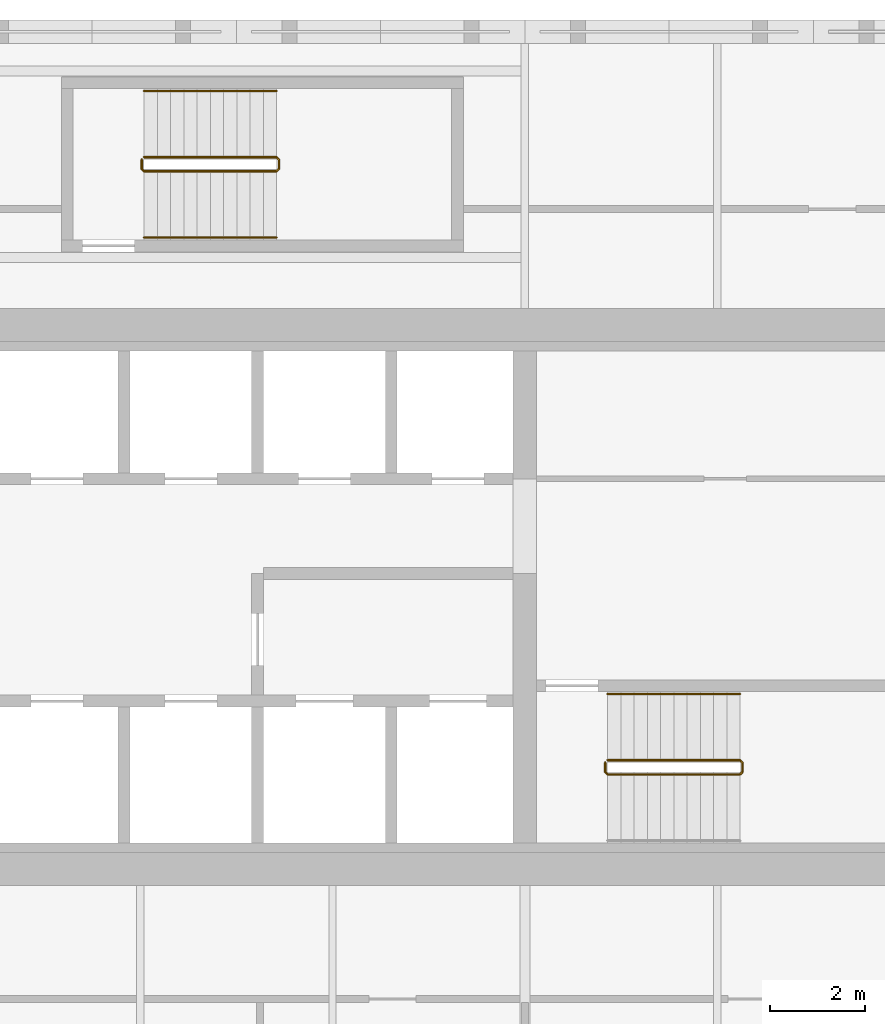
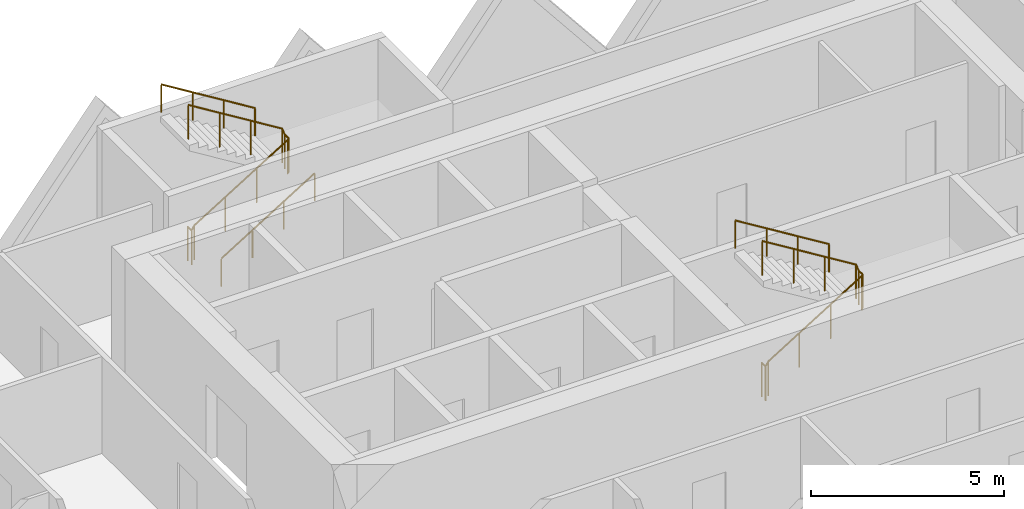
# One storey, part 19 of 19: 5 railings.
"""IFC4 building model written with IfcOpenShell, lengths in metres."""

from ifc_helpers import new_model, si_unit, direction, frame, origin, origin_2d, place, context, subcontext, project, spatial, circle, extrude, material, type_object, element, save


model = new_model("IFC4")

# Units and contexts
model_context = context("Model", 3, precision=1e-05, world=origin(), true_north=direction((0.0, 1.0)))
body_context = subcontext(model_context, "Body", "Model", "MODEL_VIEW")
ifc_project = project(units=[si_unit("LENGTHUNIT", "METRE"), si_unit("AREAUNIT", "SQUARE_METRE"), si_unit("VOLUMEUNIT", "CUBIC_METRE"), si_unit("PLANEANGLEUNIT", "RADIAN"), si_unit("MASSUNIT", "GRAM", prefix="KILO")], contexts=[model_context])

# Site, building, storey
site_placement = place(None, origin())
site = spatial("IfcSite", under=ifc_project, at=site_placement, CompositionType="ELEMENT")
building_placement = place(site_placement, origin())
building = spatial("IfcBuilding", under=site, at=building_placement, Name="Tessera Gate Towers", CompositionType="ELEMENT")
storey_placement = place(building_placement, frame((0.0, 0.0, 29.60009765625)))
storey = spatial("IfcBuildingStorey", under=building, at=storey_placement, Name="L06", CompositionType="ELEMENT", Elevation=29.60009765625)

# Railings
ifc_material_1 = material(Name="Steel 350W", Category="steel")
railing_type_1 = type_object("IfcRailingType", Name="STAIR GUARD 1100", PredefinedType="GUARDRAIL", material=ifc_material_1)
railing_1_placement = place(storey_placement, frame((111.5, 39.199951171875, 0.0)))
element("IfcRailing", 1, at=railing_1_placement, inside=storey, type_object=railing_type_1, Name="L06 ST6 stair guard 1", PredefinedType="GUARDRAIL", context=body_context, shape_type="SweptSolid", body=[
    extrude(circle(Radius=0.02392578125, at=origin_2d()), frame((0.0, 0.0, 1.076171875), z_axis=(0.0, -1.0, 0.0), x_axis=(1.0, 0.0, 0.0)), (0.0, 0.0, 1.0), 0.199951171875),
    extrude(circle(Radius=0.02392578125, at=origin_2d()), frame((0.0, -0.199951171875, 1.076171875), z_axis=(0.268277960024, -0.268277960024, 0.925231793839), x_axis=(0.707106781187, 0.707106781187, 0.0)), (0.0, 0.0, 1.0), 0.1865234375),
    extrude(circle(Radius=0.02392578125, at=origin_2d()), frame((0.050048828125, -0.25, 1.24853515625), z_axis=(0.851089632645, 0.0, 0.525020415988), x_axis=(0.0, 1.0, 0.0)), (0.0, 0.0, 1.0), 3.2900390625),
    extrude(circle(Radius=0.02392578125, at=origin_2d()), frame((2.85009765625, -0.25, 2.97607421875), z_axis=(0.705375805398, 0.708833529934, 0.0), x_axis=(-0.708833529934, 0.705375805398, 0.0)), (0.0, 0.0, 1.0), 0.070556640625),
    extrude(circle(Radius=0.02392578125, at=origin_2d()), frame((2.89990234375, -0.199951171875, 2.97607421875), z_axis=(0.0, 1.0, 0.0), x_axis=(-1.0, 0.0, 0.0)), (0.0, 0.0, 1.0), 0.199951171875),
    extrude(circle(Radius=0.02392578125, at=origin_2d()), frame((2.89990234375, 0.0, 2.97607421875), z_axis=(-0.267062837333, 0.268371968888, 0.925556009775), x_axis=(-0.708833529934, -0.705375805398, 0.0)), (0.0, 0.0, 1.0), 0.1865234375),
    extrude(circle(Radius=0.02392578125, at=origin_2d()), frame((2.85009765625, 0.050048828125, 3.1484375), z_axis=(-0.851089632645, 0.0, 0.525020415988), x_axis=(0.0, -1.0, 0.0)), (0.0, 0.0, 1.0), 3.2900390625),
    extrude(circle(Radius=0.02099609375, at=origin_2d()), origin(), (0.0, 0.0, 1.0), 1.052001953125),
    extrude(circle(Radius=0.02099609375, at=origin_2d()), frame((0.0, -0.199951171875, 0.0)), (0.0, 0.0, 1.0), 1.052001953125),
    extrude(circle(Radius=0.02099609375, at=origin_2d()), frame((0.050048828125, -0.25, 0.172607421875)), (0.0, 0.0, 1.0), 1.052001953125),
    extrude(circle(Radius=0.02099609375, at=origin_2d()), frame((0.9833984375, -0.25, 0.748291015625)), (0.0, 0.0, 1.0), 1.052001953125),
    extrude(circle(Radius=0.02099609375, at=origin_2d()), frame((1.916748046875, -0.25, 1.32421875)), (0.0, 0.0, 1.0), 1.052001953125),
    extrude(circle(Radius=0.02099609375, at=origin_2d()), frame((2.85009765625, -0.25, 1.89990234375)), (0.0, 0.0, 1.0), 1.052001953125),
    extrude(circle(Radius=0.02099609375, at=origin_2d()), frame((2.89990234375, -0.199951171875, 1.89990234375)), (0.0, 0.0, 1.0), 1.052001953125),
    extrude(circle(Radius=0.02099609375, at=origin_2d()), frame((2.89990234375, 0.0, 1.89990234375)), (0.0, 0.0, 1.0), 1.052001953125),
    extrude(circle(Radius=0.02099609375, at=origin_2d()), frame((2.85009765625, 0.050048828125, 2.072509765625)), (0.0, 0.0, 1.0), 1.052001953125),
    extrude(circle(Radius=0.02099609375, at=origin_2d()), frame((1.916748046875, 0.050048828125, 2.648193359375)), (0.0, 0.0, 1.0), 1.052001953125),
    extrude(circle(Radius=0.02099609375, at=origin_2d()), frame((0.9833984375, 0.050048828125, 3.22412109375)), (0.0, 0.0, 1.0), 1.052001953125),
    extrude(circle(Radius=0.02099609375, at=origin_2d()), frame((0.050048828125, 0.050048828125, 3.7998046875)), (0.0, 0.0, 1.0), 1.052001953125),
])
railing_2_placement = place(storey_placement, frame((101.699951171875, 51.949951171875, 0.0)))
element("IfcRailing", 2, at=railing_2_placement, inside=storey, type_object=railing_type_1, Name="L06 ST7 stair guard 1", PredefinedType="GUARDRAIL", context=body_context, shape_type="SweptSolid", body=[
    extrude(circle(Radius=0.02392578125, at=origin_2d()), frame((0.0, 0.0, 1.076171875), z_axis=(0.0, -1.0, 0.0), x_axis=(1.0, 0.0, 0.0)), (0.0, 0.0, 1.0), 0.199951171875),
    extrude(circle(Radius=0.02392578125, at=origin_2d()), frame((0.0, -0.199951171875, 1.076171875), z_axis=(0.268277960024, -0.268277960024, 0.925231793839), x_axis=(0.707106781187, 0.707106781187, 0.0)), (0.0, 0.0, 1.0), 0.1865234375),
    extrude(circle(Radius=0.02392578125, at=origin_2d()), frame((0.050048828125, -0.25, 1.24853515625), z_axis=(0.851089632645, 0.0, 0.525020415988), x_axis=(0.0, 1.0, 0.0)), (0.0, 0.0, 1.0), 3.2900390625),
    extrude(circle(Radius=0.02392578125, at=origin_2d()), frame((2.85009765625, -0.25, 2.97607421875), z_axis=(0.707106781187, 0.707106781187, 0.0), x_axis=(-0.707106781187, 0.707106781187, 0.0)), (0.0, 0.0, 1.0), 0.07080078125),
    extrude(circle(Radius=0.02392578125, at=origin_2d()), frame((2.900146484375, -0.199951171875, 2.97607421875), z_axis=(0.0, 1.0, 0.0), x_axis=(-1.0, 0.0, 0.0)), (0.0, 0.0, 1.0), 0.199951171875),
    extrude(circle(Radius=0.02392578125, at=origin_2d()), frame((2.900146484375, 0.0, 2.97607421875), z_axis=(-0.268277960024, 0.268277960024, 0.925231793839), x_axis=(-0.707106781187, -0.707106781187, 0.0)), (0.0, 0.0, 1.0), 0.1865234375),
    extrude(circle(Radius=0.02392578125, at=origin_2d()), frame((2.85009765625, 0.050048828125, 3.1484375), z_axis=(-0.851089632645, 0.0, 0.525020415988), x_axis=(0.0, -1.0, 0.0)), (0.0, 0.0, 1.0), 3.2900390625),
    extrude(circle(Radius=0.02099609375, at=origin_2d()), origin(), (0.0, 0.0, 1.0), 1.052001953125),
    extrude(circle(Radius=0.02099609375, at=origin_2d()), frame((0.0, -0.199951171875, 0.0)), (0.0, 0.0, 1.0), 1.052001953125),
    extrude(circle(Radius=0.02099609375, at=origin_2d()), frame((0.050048828125, -0.25, 0.172607421875)), (0.0, 0.0, 1.0), 1.052001953125),
    extrude(circle(Radius=0.02099609375, at=origin_2d()), frame((0.9833984375, -0.25, 0.748291015625)), (0.0, 0.0, 1.0), 1.052001953125),
    extrude(circle(Radius=0.02099609375, at=origin_2d()), frame((1.916748046875, -0.25, 1.32421875)), (0.0, 0.0, 1.0), 1.052001953125),
    extrude(circle(Radius=0.02099609375, at=origin_2d()), frame((2.85009765625, -0.25, 1.89990234375)), (0.0, 0.0, 1.0), 1.052001953125),
    extrude(circle(Radius=0.02099609375, at=origin_2d()), frame((2.900146484375, -0.199951171875, 1.89990234375)), (0.0, 0.0, 1.0), 1.052001953125),
    extrude(circle(Radius=0.02099609375, at=origin_2d()), frame((2.900146484375, 0.0, 1.89990234375)), (0.0, 0.0, 1.0), 1.052001953125),
    extrude(circle(Radius=0.02099609375, at=origin_2d()), frame((2.85009765625, 0.050048828125, 2.072509765625)), (0.0, 0.0, 1.0), 1.052001953125),
    extrude(circle(Radius=0.02099609375, at=origin_2d()), frame((1.916748046875, 0.050048828125, 2.648193359375)), (0.0, 0.0, 1.0), 1.052001953125),
    extrude(circle(Radius=0.02099609375, at=origin_2d()), frame((0.9833984375, 0.050048828125, 3.22412109375)), (0.0, 0.0, 1.0), 1.052001953125),
    extrude(circle(Radius=0.02099609375, at=origin_2d()), frame((0.050048828125, 0.050048828125, 3.7998046875)), (0.0, 0.0, 1.0), 1.052001953125),
])
ifc_material_2 = material(Name="Steel 350W", Category="steel")
railing_type_2 = type_object("IfcRailingType", Name="STAIR HANDRAIL 900", PredefinedType="HANDRAIL", material=ifc_material_2)
railing_3_placement = place(storey_placement, frame((114.35009765625, 40.64990234375, 2.072509765625)))
element("IfcRailing", 3, at=railing_3_placement, inside=storey, type_object=railing_type_2, Name="L06 ST6 stair handrail 2", PredefinedType="HANDRAIL", context=body_context, shape_type="SweptSolid", body=[
    extrude(circle(Radius=0.02392578125, at=origin_2d()), frame((0.0, 0.0, 0.8759765625), z_axis=(-0.851089632645, 0.0, 0.525020415988), x_axis=(0.0, -1.0, 0.0)), (0.0, 0.0, 1.0), 3.2900390625),
    extrude(circle(Radius=0.02099609375, at=origin_2d()), origin(), (0.0, 0.0, 1.0), 0.851806640625),
    extrude(circle(Radius=0.02099609375, at=origin_2d()), frame((-0.933349609375, 0.0, 0.57568359375)), (0.0, 0.0, 1.0), 0.851806640625),
    extrude(circle(Radius=0.02099609375, at=origin_2d()), frame((-1.86669921875, 0.0, 1.151611328125)), (0.0, 0.0, 1.0), 0.851806640625),
    extrude(circle(Radius=0.02099609375, at=origin_2d()), frame((-2.800048828125, 0.0, 1.727294921875)), (0.0, 0.0, 1.0), 0.851806640625),
])
railing_4_placement = place(storey_placement, frame((101.75, 50.300048828125, 0.172607421875)))
element("IfcRailing", 4, at=railing_4_placement, inside=storey, type_object=railing_type_2, Name="L06 ST7 stair handrail 1", PredefinedType="HANDRAIL", context=body_context, shape_type="SweptSolid", body=[
    extrude(circle(Radius=0.02392578125, at=origin_2d()), frame((0.0, 0.0, 0.8759765625), z_axis=(0.851089632645, 0.0, 0.525020415988), x_axis=(0.0, 1.0, 0.0)), (0.0, 0.0, 1.0), 3.2900390625),
    extrude(circle(Radius=0.02099609375, at=origin_2d()), origin(), (0.0, 0.0, 1.0), 0.851806640625),
    extrude(circle(Radius=0.02099609375, at=origin_2d()), frame((0.933349609375, 0.0, 0.57568359375)), (0.0, 0.0, 1.0), 0.851806640625),
    extrude(circle(Radius=0.02099609375, at=origin_2d()), frame((1.86669921875, 0.0, 1.151611328125)), (0.0, 0.0, 1.0), 0.851806640625),
    extrude(circle(Radius=0.02099609375, at=origin_2d()), frame((2.800048828125, 0.0, 1.727294921875)), (0.0, 0.0, 1.0), 0.851806640625),
])
railing_5_placement = place(storey_placement, frame((104.550048828125, 53.39990234375, 2.072509765625)))
element("IfcRailing", 5, at=railing_5_placement, inside=storey, type_object=railing_type_2, Name="L06 ST7 stair handrail 2", PredefinedType="HANDRAIL", context=body_context, shape_type="SweptSolid", body=[
    extrude(circle(Radius=0.02392578125, at=origin_2d()), frame((0.0, 0.0, 0.8759765625), z_axis=(-0.851089632645, 0.0, 0.525020415988), x_axis=(0.0, -1.0, 0.0)), (0.0, 0.0, 1.0), 3.2900390625),
    extrude(circle(Radius=0.02099609375, at=origin_2d()), origin(), (0.0, 0.0, 1.0), 0.851806640625),
    extrude(circle(Radius=0.02099609375, at=origin_2d()), frame((-0.933349609375, 0.0, 0.57568359375)), (0.0, 0.0, 1.0), 0.851806640625),
    extrude(circle(Radius=0.02099609375, at=origin_2d()), frame((-1.86669921875, 0.0, 1.151611328125)), (0.0, 0.0, 1.0), 0.851806640625),
    extrude(circle(Radius=0.02099609375, at=origin_2d()), frame((-2.800048828125, 0.0, 1.727294921875)), (0.0, 0.0, 1.0), 0.851806640625),
])

save(model, "model.ifc")
